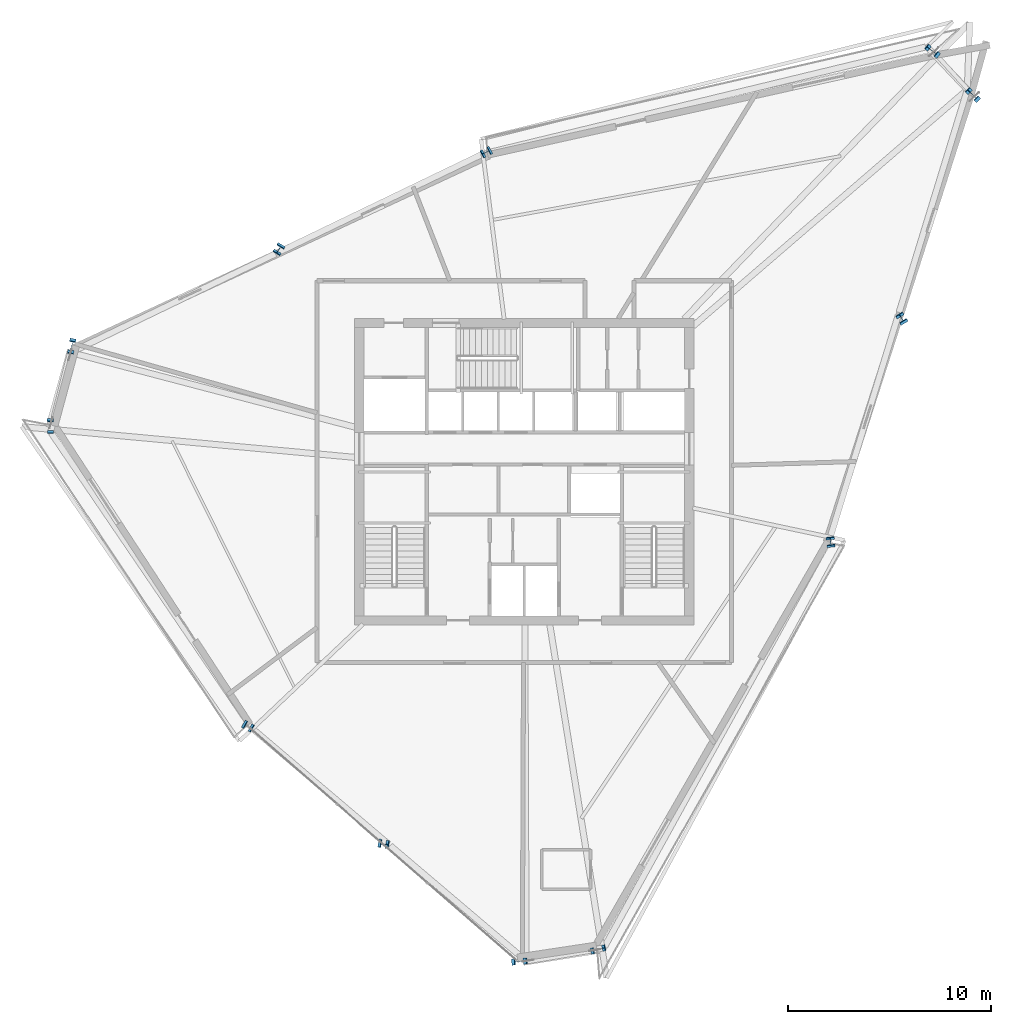
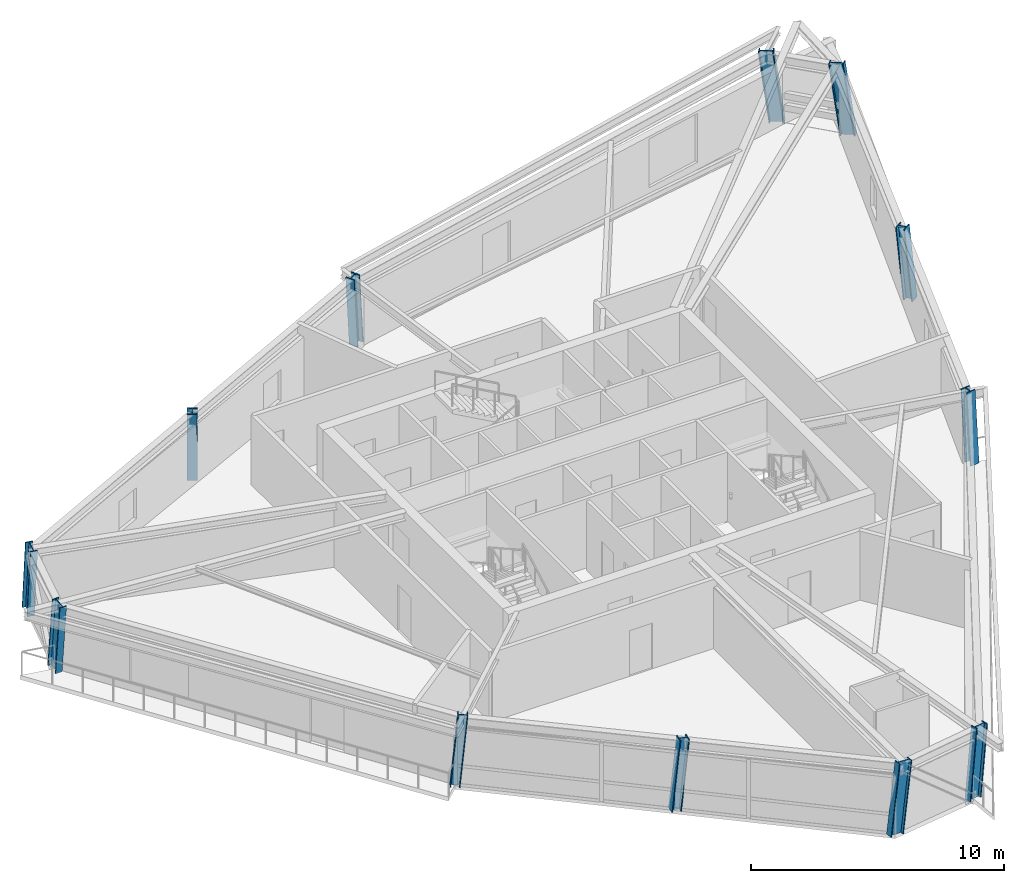
# One storey, part 1 of 13: 12 columns.
"""IFC4 building model written with IfcOpenShell, lengths in metres."""

from ifc_helpers import new_model, si_unit, direction, frame, origin, origin_2d, place, context, subcontext, project, spatial, i_section, extrude, source, transform, mapped, material, material_profile, profile_set, type_object, element, save


model = new_model("IFC4")

# Units and contexts
model_context = context("Model", 3, precision=1e-05, world=origin(), true_north=direction((0.0, 1.0)))
body_context = subcontext(model_context, "Body", "Model", "MODEL_VIEW")
ifc_project = project(units=[si_unit("LENGTHUNIT", "METRE"), si_unit("AREAUNIT", "SQUARE_METRE"), si_unit("VOLUMEUNIT", "CUBIC_METRE"), si_unit("PLANEANGLEUNIT", "RADIAN"), si_unit("MASSUNIT", "GRAM", prefix="KILO")], contexts=[model_context])

# Site, building, storey
site_placement = place(None, origin())
site = spatial("IfcSite", under=ifc_project, at=site_placement, CompositionType="ELEMENT")
building_placement = place(site_placement, origin())
building = spatial("IfcBuilding", under=site, at=building_placement, Name="Olszyna Solenne Hotel", CompositionType="ELEMENT")
storey_placement = place(building_placement, frame((0.0, 0.0, 209.60009765625)))
storey = spatial("IfcBuildingStorey", under=building, at=storey_placement, Name="L55", CompositionType="ELEMENT", Elevation=209.60009765625)

# Columns
ifc_material = material(Name="Steel S460M", Category="steel")
ifc_material_profile_1 = material_profile(ifc_material, i_section(OverallWidth=0.304931640625, OverallDepth=0.6201171875, WebThickness=0.02099609375, FlangeThickness=0.0400390625, at=origin_2d()), Name="HEM 600", Category="load-bearing")
ifc_profile_set_1 = profile_set([ifc_material_profile_1], Name="Steel S460M")
column_type_1 = type_object("IfcColumnType", Name="COL-K3", PredefinedType="COLUMN", material=ifc_profile_set_1)
shared_shape_1 = source(origin(), body_context, "Body", "SweptSolid", [
    extrude(i_section(OverallWidth=0.304931640625, OverallDepth=0.6201171875, WebThickness=0.02099609375, FlangeThickness=0.0400390625, at=origin_2d()), origin(), (0.0, 0.0, 1.0), 3.417724609375),
])
column_1_placement = place(storey_placement, frame((60.15869140625, 45.0791015625, 0.0), z_axis=(-0.098864511312, 0.096292891076, 0.990430960507), x_axis=(-0.69772854898, -0.716362249101, 0.0)))
element("IfcColumn", 1, at=column_1_placement, inside=storey, type_object=column_type_1, Name="Perimeter framed-tube column COL-K3 C-L55-01", PredefinedType="COLUMN", context=body_context, shape_type="MappedRepresentation", body=[
    mapped(shared_shape_1, transform((0.0, 0.0, 0.0), x_axis=(1.0, 0.0, 0.0), y_axis=(0.0, 1.0, 0.0), z_axis=(0.0, 0.0, 1.0), scale=1.0)),
])
shared_shape_2 = source(origin(), body_context, "Body", "SweptSolid", [
    extrude(i_section(OverallWidth=0.304931640625, OverallDepth=0.6201171875, WebThickness=0.02099609375, FlangeThickness=0.0400390625, at=origin_2d()), origin(), (0.0, 0.0, 1.0), 3.413330078125),
])
column_2_placement = place(storey_placement, frame((58.170166015625, 47.2529296875, 0.0), z_axis=(-0.101281359539, 0.07903665416, 0.991713312157), x_axis=(-0.615211782312, -0.78836188575, 0.0)))
element("IfcColumn", 2, at=column_2_placement, inside=storey, type_object=column_type_1, Name="Perimeter framed-tube column COL-K3 C-L55-02", PredefinedType="COLUMN", context=body_context, shape_type="MappedRepresentation", body=[
    mapped(shared_shape_2, transform((0.0, 0.0, 0.0), x_axis=(1.0, 0.0, 0.0), y_axis=(0.0, 1.0, 0.0), z_axis=(0.0, 0.0, 1.0), scale=1.0)),
])
ifc_material_profile_2 = material_profile(ifc_material, i_section(OverallWidth=0.406005859375, OverallDepth=0.416015625, WebThickness=0.026611328125, FlangeThickness=0.04150390625, at=origin_2d()), Name="HD 400x382", Category="load-bearing")
ifc_profile_set_2 = profile_set([ifc_material_profile_2], Name="Steel S460M")
column_type_2 = type_object("IfcColumnType", Name="COL-T4", PredefinedType="COLUMN", material=ifc_profile_set_2)
shared_shape_3 = source(origin(), body_context, "Body", "SweptSolid", [
    extrude(i_section(OverallWidth=0.406005859375, OverallDepth=0.416015625, WebThickness=0.026611328125, FlangeThickness=0.04150390625, at=origin_2d()), origin(), (0.0, 0.0, 1.0), 3.39453125),
])
column_3_placement = place(storey_placement, frame((36.169921875, 42.349609375, 0.0), z_axis=(-0.06681514078, -0.033803139038, 0.997192601634), x_axis=(0.451434801381, -0.892304107411, 0.0)))
element("IfcColumn", 3, at=column_3_placement, inside=storey, type_object=column_type_2, Name="Perimeter framed-tube column COL-T4 C-L55-03", PredefinedType="COLUMN", context=body_context, shape_type="MappedRepresentation", body=[
    mapped(shared_shape_3, transform((0.0, 0.0, 0.0), x_axis=(1.0, 0.0, 0.0), y_axis=(0.0, 1.0, 0.0), z_axis=(0.0, 0.0, 1.0), scale=1.0)),
])
shared_shape_4 = source(origin(), body_context, "Body", "SweptSolid", [
    extrude(i_section(OverallWidth=0.406005859375, OverallDepth=0.416015625, WebThickness=0.026611328125, FlangeThickness=0.04150390625, at=origin_2d()), origin(), (0.0, 0.0, 1.0), 3.397216796875),
])
column_4_placement = place(storey_placement, frame((25.951171875, 37.596923828125, 0.0), z_axis=(-0.043621585932, -0.072726597963, 0.99639751063), x_axis=(0.857567687149, -0.514371132509, 0.0)))
element("IfcColumn", 4, at=column_4_placement, inside=storey, type_object=column_type_2, Name="Perimeter framed-tube column COL-T4 C-L55-04", PredefinedType="COLUMN", context=body_context, shape_type="MappedRepresentation", body=[
    mapped(shared_shape_4, transform((0.0, 0.0, 0.0), x_axis=(1.0, 0.0, 0.0), y_axis=(0.0, 1.0, 0.0), z_axis=(0.0, 0.0, 1.0), scale=1.0)),
])
shared_shape_5 = source(origin(), body_context, "Body", "SweptSolid", [
    extrude(i_section(OverallWidth=0.304931640625, OverallDepth=0.6201171875, WebThickness=0.02099609375, FlangeThickness=0.0400390625, at=origin_2d()), origin(), (0.0, 0.0, 1.0), 3.406982421875),
])
column_5_placement = place(storey_placement, frame((15.732421875, 32.84423828125, 0.0), z_axis=(-0.020494982912, -0.111289190426, 0.993576706535), x_axis=(0.983462094692, -0.181114075391, 0.0)))
element("IfcColumn", 5, at=column_5_placement, inside=storey, type_object=column_type_1, Name="Perimeter framed-tube column COL-K3 C-L55-05", PredefinedType="COLUMN", context=body_context, shape_type="MappedRepresentation", body=[
    mapped(shared_shape_5, transform((0.0, 0.0, 0.0), x_axis=(1.0, 0.0, 0.0), y_axis=(0.0, 1.0, 0.0), z_axis=(0.0, 0.0, 1.0), scale=1.0)),
])
shared_shape_6 = source(origin(), body_context, "Body", "SweptSolid", [
    extrude(i_section(OverallWidth=0.304931640625, OverallDepth=0.6201171875, WebThickness=0.02099609375, FlangeThickness=0.0400390625, at=origin_2d()), origin(), (0.0, 0.0, 1.0), 3.40234375),
])
column_6_placement = place(storey_placement, frame((14.668701171875, 28.902099609375, 0.0), z_axis=(0.001650351111, -0.101101944141, 0.994874702278), x_axis=(0.99986679611, 0.016321459411, 0.0)))
element("IfcColumn", 6, at=column_6_placement, inside=storey, type_object=column_type_1, Name="Perimeter framed-tube column COL-K3 C-L55-06", PredefinedType="COLUMN", context=body_context, shape_type="MappedRepresentation", body=[
    mapped(shared_shape_6, transform((0.0, 0.0, 0.0), x_axis=(1.0, 0.0, 0.0), y_axis=(0.0, 1.0, 0.0), z_axis=(0.0, 0.0, 1.0), scale=1.0)),
])
shared_shape_7 = source(origin(), body_context, "Body", "SweptSolid", [
    extrude(i_section(OverallWidth=0.406005859375, OverallDepth=0.416015625, WebThickness=0.026611328125, FlangeThickness=0.04150390625, at=origin_2d()), origin(), (0.0, 0.0, 1.0), 3.39892578125),
])
column_7_placement = place(storey_placement, frame((24.34716796875, 14.08837890625, 0.0), z_axis=(0.078726710001, -0.043745042327, 0.995935980073), x_axis=(0.485710646607, 0.874119653007, 0.0)))
element("IfcColumn", 7, at=column_7_placement, inside=storey, type_object=column_type_2, Name="Perimeter framed-tube column COL-T4 C-L55-07", PredefinedType="COLUMN", context=body_context, shape_type="MappedRepresentation", body=[
    mapped(shared_shape_7, transform((0.0, 0.0, 0.0), x_axis=(1.0, 0.0, 0.0), y_axis=(0.0, 1.0, 0.0), z_axis=(0.0, 0.0, 1.0), scale=1.0)),
])
shared_shape_8 = source(origin(), body_context, "Body", "SweptSolid", [
    extrude(i_section(OverallWidth=0.406005859375, OverallDepth=0.416015625, WebThickness=0.026611328125, FlangeThickness=0.04150390625, at=origin_2d()), origin(), (0.0, 0.0, 1.0), 3.402099609375),
])
column_8_placement = place(storey_placement, frame((31.018798828125, 8.277587890625, 0.0), z_axis=(0.098672919306, -0.016577050443, 0.994981837218), x_axis=(0.1656782175, 0.986179866072, 0.0)))
element("IfcColumn", 8, at=column_8_placement, inside=storey, type_object=column_type_2, Name="Perimeter framed-tube column COL-T4 C-L55-08", PredefinedType="COLUMN", context=body_context, shape_type="MappedRepresentation", body=[
    mapped(shared_shape_8, transform((0.0, 0.0, 0.0), x_axis=(1.0, 0.0, 0.0), y_axis=(0.0, 1.0, 0.0), z_axis=(0.0, 0.0, 1.0), scale=1.0)),
])
shared_shape_9 = source(origin(), body_context, "Body", "SweptSolid", [
    extrude(i_section(OverallWidth=0.304931640625, OverallDepth=0.6201171875, WebThickness=0.02099609375, FlangeThickness=0.0400390625, at=origin_2d()), origin(), (0.0, 0.0, 1.0), 3.4091796875),
])
column_9_placement = place(storey_placement, frame((37.690673828125, 2.466552734375, 0.0), z_axis=(0.118446662085, 0.010598613052, 0.992903851157), x_axis=(-0.089123966209, 0.996020541278, 0.0)))
element("IfcColumn", 9, at=column_9_placement, inside=storey, type_object=column_type_1, Name="Perimeter framed-tube column COL-K3 C-L55-09", PredefinedType="COLUMN", context=body_context, shape_type="MappedRepresentation", body=[
    mapped(shared_shape_9, transform((0.0, 0.0, 0.0), x_axis=(1.0, 0.0, 0.0), y_axis=(0.0, 1.0, 0.0), z_axis=(0.0, 0.0, 1.0), scale=1.0)),
])
shared_shape_10 = source(origin(), body_context, "Body", "SweptSolid", [
    extrude(i_section(OverallWidth=0.304931640625, OverallDepth=0.6201171875, WebThickness=0.02099609375, FlangeThickness=0.0400390625, at=origin_2d()), origin(), (0.0, 0.0, 1.0), 3.403564453125),
])
column_10_placement = place(storey_placement, frame((41.57958984375, 3.0546875, 0.0), z_axis=(0.100996805181, 0.026038238836, 0.994545954424), x_axis=(-0.249649213063, 0.968336341576, 0.0)))
element("IfcColumn", 10, at=column_10_placement, inside=storey, type_object=column_type_1, Name="Perimeter framed-tube column COL-K3 C-L55-10", PredefinedType="COLUMN", context=body_context, shape_type="MappedRepresentation", body=[
    mapped(shared_shape_10, transform((0.0, 0.0, 0.0), x_axis=(1.0, 0.0, 0.0), y_axis=(0.0, 1.0, 0.0), z_axis=(0.0, 0.0, 1.0), scale=1.0)),
])
shared_shape_11 = source(origin(), body_context, "Body", "SweptSolid", [
    extrude(i_section(OverallWidth=0.406005859375, OverallDepth=0.416015625, WebThickness=0.026611328125, FlangeThickness=0.04150390625, at=origin_2d()), origin(), (0.0, 0.0, 1.0), 3.395263671875),
])
column_11_placement = place(storey_placement, frame((53.091552734375, 23.08447265625, 0.0), z_axis=(-0.008340880096, 0.07758456572, 0.996950883886), x_axis=(-0.994270743163, -0.106891015947, 0.0)))
element("IfcColumn", 11, at=column_11_placement, inside=storey, type_object=column_type_2, Name="Perimeter framed-tube column COL-T4 C-L55-11", PredefinedType="COLUMN", context=body_context, shape_type="MappedRepresentation", body=[
    mapped(shared_shape_11, transform((0.0, 0.0, 0.0), x_axis=(1.0, 0.0, 0.0), y_axis=(0.0, 1.0, 0.0), z_axis=(0.0, 0.0, 1.0), scale=1.0)),
])
shared_shape_12 = source(origin(), body_context, "Body", "SweptSolid", [
    extrude(i_section(OverallWidth=0.406005859375, OverallDepth=0.416015625, WebThickness=0.026611328125, FlangeThickness=0.04150390625, at=origin_2d()), origin(), (0.0, 0.0, 1.0), 3.40283203125),
])
column_12_placement = place(storey_placement, frame((56.625244140625, 34.081787109375, 0.0), z_axis=(-0.053880341029, 0.087098181103, 0.994741582372), x_axis=(-0.85042932519, -0.526089310723, 0.0)))
element("IfcColumn", 12, at=column_12_placement, inside=storey, type_object=column_type_2, Name="Perimeter framed-tube column COL-T4 C-L55-12", PredefinedType="COLUMN", context=body_context, shape_type="MappedRepresentation", body=[
    mapped(shared_shape_12, transform((0.0, 0.0, 0.0), x_axis=(1.0, 0.0, 0.0), y_axis=(0.0, 1.0, 0.0), z_axis=(0.0, 0.0, 1.0), scale=1.0)),
])

save(model, "model.ifc")
